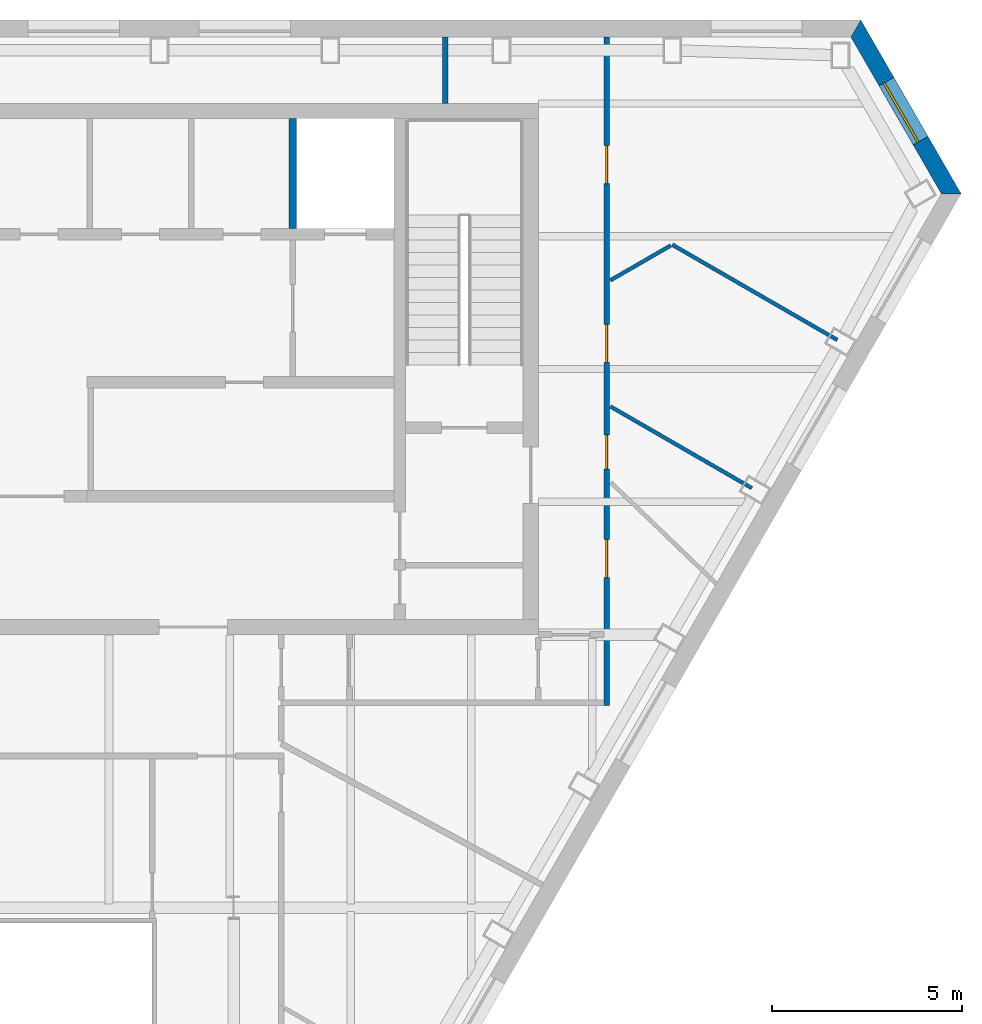
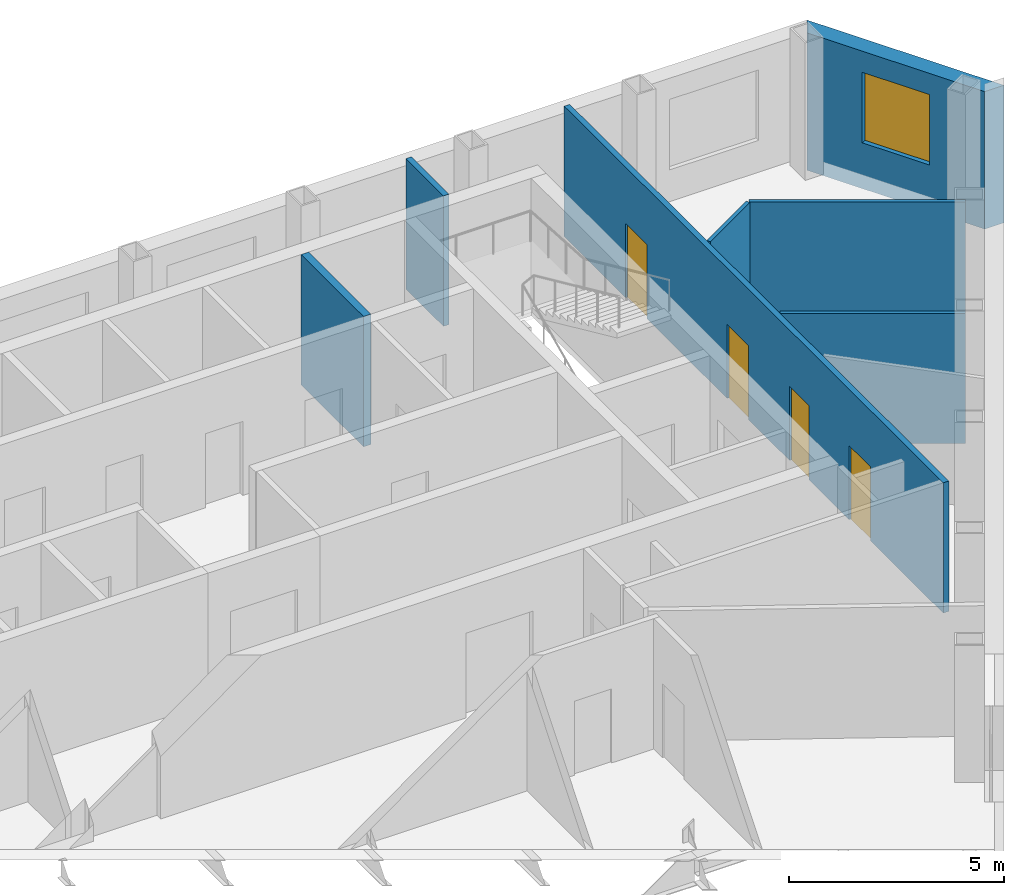
# One storey, part 7 of 10: 7 walls, 4 doors, 1 window, 5 openings.
"""IFC4 building model written with IfcOpenShell, lengths in metres."""

from ifc_helpers import new_model, si_unit, direction, frame, frame_2d, origin, place, context, subcontext, project, spatial, polyline, rectangle, outline, extrude, material, layer, layer_set, type_object, element, fill, save


model = new_model("IFC4")

# Units and contexts
model_context = context("Model", 3, precision=1e-05, world=origin(), true_north=direction((0.0, 1.0)))
body_context = subcontext(model_context, "Body", "Model", "MODEL_VIEW")
ifc_project = project(units=[si_unit("LENGTHUNIT", "METRE"), si_unit("AREAUNIT", "SQUARE_METRE"), si_unit("VOLUMEUNIT", "CUBIC_METRE"), si_unit("PLANEANGLEUNIT", "RADIAN"), si_unit("MASSUNIT", "GRAM", prefix="KILO")], contexts=[model_context])

# Site, building, storey
site_placement = place(None, origin())
site = spatial("IfcSite", under=ifc_project, at=site_placement, CompositionType="ELEMENT")
building_placement = place(site_placement, origin())
building = spatial("IfcBuilding", under=site, at=building_placement, Name="Njiva Tower", CompositionType="ELEMENT")
storey_placement = place(building_placement, frame((0.0, 0.0, 288.3)))
storey = spatial("IfcBuildingStorey", under=building, at=storey_placement, Name="L66", CompositionType="ELEMENT", Elevation=288.3)

# Walls
ifc_material_1 = material(Name="Gypsum board on steel studs", Category="gypsum")
ifc_layer_1 = layer(ifc_material_1, 0.1)
ifc_layer_set_1 = layer_set([ifc_layer_1], Name="Gypsum board on steel studs")
wall_type_1 = type_object("IfcWallType", Name="WT20 Gypsum partition 100", PredefinedType="PARTITIONING", material=ifc_layer_set_1)
wall_1_placement = place(storey_placement, frame((16.4, 13.338, 0.0), z_axis=(0.0, 0.0, 1.0), x_axis=(0.866294275703, 0.499534010738, 0.0)))
element("IfcWall", 1, at=wall_1_placement, inside=storey, type_object=wall_type_1, Name="Partition S21-P033", PredefinedType="PARTITIONING", context=body_context, shape_type="SweptSolid", body=[
    extrude(rectangle(XDim=1.8377, YDim=0.1, at=frame_2d((0.9188, 0.0))), origin(), (0.0, 0.0, 1.0), 3.7),
])
wall_2_placement = place(storey_placement, frame((16.4, 10.013, 0.0), z_axis=(0.0, 0.0, 1.0), x_axis=(0.866104329613, -0.499863271531, 0.0)))
element("IfcWall", 2, at=wall_2_placement, inside=storey, type_object=wall_type_1, Name="Partition S21-P034", PredefinedType="PARTITIONING", context=body_context, shape_type="SweptSolid", body=[
    extrude(rectangle(XDim=4.3032, YDim=0.1, at=frame_2d((2.1516, 0.0))), origin(), (0.0, 0.0, 1.0), 3.7),
])
wall_3_placement = place(storey_placement, frame((18.03, 14.277, 0.0), z_axis=(0.0, 0.0, 1.0), x_axis=(0.866115983499, -0.499843078503, 0.0)))
element("IfcWall", 3, at=wall_3_placement, inside=storey, type_object=wall_type_1, Name="Partition S21-P036", PredefinedType="PARTITIONING", context=body_context, shape_type="SweptSolid", body=[
    extrude(rectangle(XDim=5.0236, YDim=0.1, at=frame_2d((2.5118, 0.0))), origin(), (0.0, 0.0, 1.0), 3.7),
])
ifc_layer_2 = layer(ifc_material_1, 0.15)
ifc_layer_set_2 = layer_set([ifc_layer_2], Name="Gypsum board on steel studs")
wall_type_2 = type_object("IfcWallType", Name="WT21 Compartment wall 150", PredefinedType="PARTITIONING", material=ifc_layer_set_2)
wall_4_placement = place(storey_placement, frame((12.05, 18.0, 0.0), z_axis=(0.0, 0.0, 1.0), x_axis=(0.0, 1.0, 0.0)))
element("IfcWall", 4, at=wall_4_placement, inside=storey, type_object=wall_type_2, Name="Partition S21-P029", PredefinedType="PARTITIONING", context=body_context, shape_type="SweptSolid", body=[
    extrude(rectangle(XDim=1.75, YDim=0.15, at=frame_2d((0.875, 0.0))), origin(), (0.0, 0.0, 1.0), 3.7),
])

# Wall, openings, doors
wall_5_placement = place(storey_placement, frame((16.3, 2.125, 0.0), z_axis=(0.0, 0.0, 1.0), x_axis=(0.0, 1.0, 0.0)))
wall_5 = element("IfcWall", 5, at=wall_5_placement, inside=storey, type_object=wall_type_2, Name="Partition S21-P032", PredefinedType="PARTITIONING", context=body_context, shape_type="SweptSolid", body=[
    extrude(rectangle(XDim=17.623, YDim=0.15, at=frame_2d((8.8115, 0.0))), origin(), (0.0, 0.0, 1.0), 3.7),
])
opening_1_placement = place(wall_5_placement, frame((3.377, 0.0, 0.0)))
opening_1 = element("IfcOpeningElement", 6, at=opening_1_placement, cuts=wall_5, Name="Opening S21-D018", PredefinedType="OPENING", context=body_context, shape_type="SweptSolid", body=[
    extrude(rectangle(XDim=1.0, YDim=2.1, at=frame_2d((0.5, 1.05))), frame((0.0, 0.085, 0.0), z_axis=(0.0, -1.0, 0.0), x_axis=(1.0, 0.0, 0.0)), (0.0, 0.0, 1.0), 0.17),
])
opening_2_placement = place(wall_5_placement, frame((6.242, 0.0, 0.0)))
opening_2 = element("IfcOpeningElement", 7, at=opening_2_placement, cuts=wall_5, Name="Opening S21-D019", PredefinedType="OPENING", context=body_context, shape_type="SweptSolid", body=[
    extrude(rectangle(XDim=0.9, YDim=2.1, at=frame_2d((0.45, 1.05))), frame((0.0, 0.085, 0.0), z_axis=(0.0, -1.0, 0.0), x_axis=(1.0, 0.0, 0.0)), (0.0, 0.0, 1.0), 0.17),
])
opening_3_placement = place(wall_5_placement, frame((9.05, 0.0, 0.0)))
opening_3 = element("IfcOpeningElement", 8, at=opening_3_placement, cuts=wall_5, Name="Opening S21-D020", PredefinedType="OPENING", context=body_context, shape_type="SweptSolid", body=[
    extrude(rectangle(XDim=1.0, YDim=2.1, at=frame_2d((0.5, 1.05))), frame((0.0, 0.085, 0.0), z_axis=(0.0, -1.0, 0.0), x_axis=(1.0, 0.0, 0.0)), (0.0, 0.0, 1.0), 0.17),
])
opening_4_placement = place(wall_5_placement, frame((13.764, 0.0, 0.0)))
opening_4 = element("IfcOpeningElement", 9, at=opening_4_placement, cuts=wall_5, Name="Opening S21-D021", PredefinedType="OPENING", context=body_context, shape_type="SweptSolid", body=[
    extrude(rectangle(XDim=1.0, YDim=2.1, at=frame_2d((0.5, 1.05))), frame((0.0, 0.085, 0.0), z_axis=(0.0, -1.0, 0.0), x_axis=(1.0, 0.0, 0.0)), (0.0, 0.0, 1.0), 0.17),
])
ifc_material_2 = material(Name="Steel fire door set", Category="steel")
door_type_1 = type_object("IfcDoorType", Name="D36 Fire door 900x2100", OperationType="SINGLE_SWING_LEFT", PredefinedType="DOOR", material=ifc_material_2)
door_1_placement = place(opening_2_placement, origin())
door_1 = element("IfcDoor", 10, at=door_1_placement, inside=storey, type_object=door_type_1, Name="Door S21-D019", OperationType="SINGLE_SWING_LEFT", OverallHeight=2.1, OverallWidth=0.9, PredefinedType="DOOR", context=body_context, shape_type="SweptSolid", body=[
    extrude(rectangle(XDim=0.9, YDim=2.1, at=frame_2d((0.45, 1.05))), frame((0.0, 0.025, 0.0), z_axis=(0.0, -1.0, 0.0), x_axis=(1.0, 0.0, 0.0)), (0.0, 0.0, 1.0), 0.05),
])
fill(opening_2, door_1)
door_type_2 = type_object("IfcDoorType", Name="D37 Fire door 1000x2100", OperationType="SINGLE_SWING_LEFT", PredefinedType="DOOR", material=ifc_material_2)
door_2_placement = place(opening_1_placement, origin())
door_2 = element("IfcDoor", 11, at=door_2_placement, inside=storey, type_object=door_type_2, Name="Door S21-D018", OperationType="SINGLE_SWING_LEFT", OverallHeight=2.1, OverallWidth=1.0, PredefinedType="DOOR", context=body_context, shape_type="SweptSolid", body=[
    extrude(rectangle(XDim=1.0, YDim=2.1, at=frame_2d((0.5, 1.05))), frame((0.0, 0.025, 0.0), z_axis=(0.0, -1.0, 0.0), x_axis=(1.0, 0.0, 0.0)), (0.0, 0.0, 1.0), 0.05),
])
fill(opening_1, door_2)
door_3_placement = place(opening_3_placement, origin())
door_3 = element("IfcDoor", 12, at=door_3_placement, inside=storey, type_object=door_type_2, Name="Door S21-D020", OperationType="SINGLE_SWING_RIGHT", OverallHeight=2.1, OverallWidth=1.0, PredefinedType="DOOR", context=body_context, shape_type="SweptSolid", body=[
    extrude(rectangle(XDim=1.0, YDim=2.1, at=frame_2d((0.5, 1.05))), frame((0.0, 0.025, 0.0), z_axis=(0.0, -1.0, 0.0), x_axis=(1.0, 0.0, 0.0)), (0.0, 0.0, 1.0), 0.05),
])
fill(opening_3, door_3)
door_4_placement = place(opening_4_placement, origin())
door_4 = element("IfcDoor", 13, at=door_4_placement, inside=storey, type_object=door_type_2, Name="Door S21-D021", OperationType="SINGLE_SWING_RIGHT", OverallHeight=2.1, OverallWidth=1.0, PredefinedType="DOOR", context=body_context, shape_type="SweptSolid", body=[
    extrude(rectangle(XDim=1.0, YDim=2.1, at=frame_2d((0.5, 1.05))), frame((0.0, 0.025, 0.0), z_axis=(0.0, -1.0, 0.0), x_axis=(1.0, 0.0, 0.0)), (0.0, 0.0, 1.0), 0.05),
])
fill(opening_4, door_4)

# Wall
ifc_material_3 = material(Name="Concrete C40/50", Category="concrete")
ifc_layer_3 = layer(ifc_material_3, 0.2)
ifc_layer_set_3 = layer_set([ifc_layer_3], Name="Concrete C40/50")
wall_type_3 = type_object("IfcWallType", Name="WT6 Lift shaft wall 200", PredefinedType="SHEAR", material=ifc_layer_set_3)
wall_6_placement = place(storey_placement, frame((8.025, 14.7, 0.0), z_axis=(0.0, 0.0, 1.0), x_axis=(0.0, 1.0, 0.0)))
element("IfcWall", 14, at=wall_6_placement, inside=storey, type_object=wall_type_3, Name="Shaft wall CN7", PredefinedType="SHEAR", context=body_context, shape_type="SweptSolid", body=[
    extrude(rectangle(XDim=2.9, YDim=0.2, at=frame_2d((1.45, 0.0))), origin(), (0.0, 0.0, 1.0), 3.7),
])

# Wall, opening, window
ifc_material_4 = material(Name="Brick masonry, buff", Category="masonry")
ifc_layer_4 = layer(ifc_material_4, 0.45)
ifc_layer_set_4 = layer_set([ifc_layer_4], Name="Brick masonry, buff")
wall_type_4 = type_object("IfcWallType", Name="WT94 Brick pier and spandrel wall 450, buff", PredefinedType="SOLIDWALL", material=ifc_layer_set_4)
wall_7_placement = place(storey_placement, frame((25.3852, 15.6187, -0.4), z_axis=(0.0, 0.0, 1.0), x_axis=(-0.49999836324, 0.866026348766, 0.0)))
wall_7 = element("IfcWall", 15, at=wall_7_placement, inside=storey, type_object=wall_type_4, Name="Facade wall NE", PredefinedType="SOLIDWALL", context=body_context, shape_type="SweptSolid", body=[
    extrude(outline(polyline([(-0.1299, -0.225), (5.1601, -0.225), (4.9003, 0.225), (0.1299, 0.225), (-0.1299, -0.225)])), origin(), (0.0, 0.0, 1.0), 3.9),
])
opening_5_placement = place(wall_7_placement, frame((1.6151, 0.0, 1.3)))
opening_5 = element("IfcOpeningElement", 16, at=opening_5_placement, cuts=wall_7, Name="Opening S21-W28", PredefinedType="OPENING", context=body_context, shape_type="SweptSolid", body=[
    extrude(rectangle(XDim=1.8, YDim=2.0, at=frame_2d((0.9, 1.0))), frame((0.0, 0.235, 0.0), z_axis=(0.0, -1.0, 0.0), x_axis=(1.0, 0.0, 0.0)), (0.0, 0.0, 1.0), 0.47),
])
ifc_material_5 = material(Name="Clear glazing in aluminium frame", Category="aluminium")
window_type = type_object("IfcWindowType", Name="W94 Deep-set window 1800x2000", PartitioningType="SINGLE_PANEL", PredefinedType="WINDOW", material=ifc_material_5)
window_placement = place(opening_5_placement, origin())
window = element("IfcWindow", 17, at=window_placement, inside=storey, type_object=window_type, Name="Window", OverallHeight=2.0, OverallWidth=1.8, PartitioningType="SINGLE_PANEL", PredefinedType="WINDOW", context=body_context, shape_type="SweptSolid", body=[
    extrude(rectangle(XDim=1.8, YDim=2.0, at=frame_2d((0.9, 1.0))), frame((0.0, 0.105, 0.0), z_axis=(0.0, -1.0, 0.0), x_axis=(1.0, 0.0, 0.0)), (0.0, 0.0, 1.0), 0.06),
])
fill(opening_5, window)

save(model, "model.ifc")
